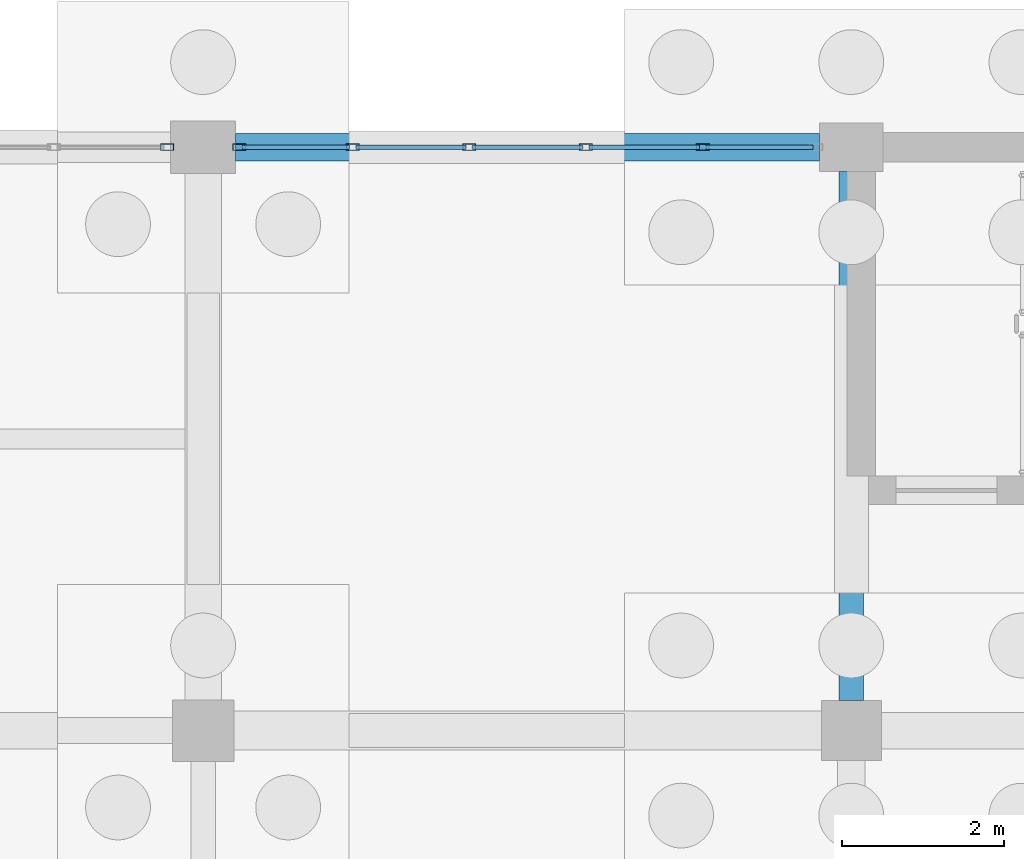
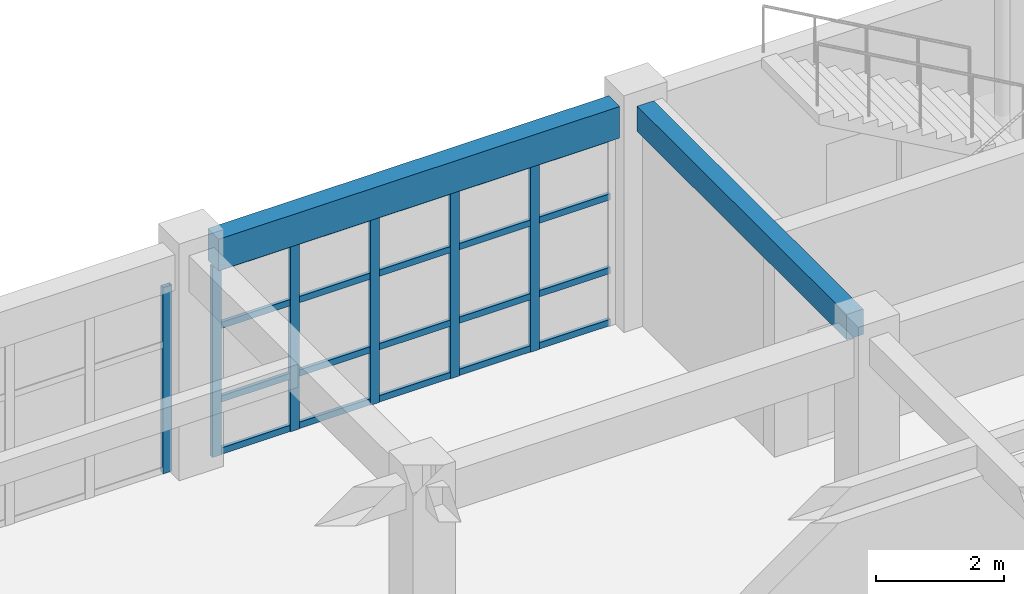
# One storey, part 72 of 166: 26 members, 2 beams, 2 elements without a shape of their own.
"""IFC4 building model written with IfcOpenShell, lengths in metres."""

from ifc_helpers import new_model, si_unit, direction, frame, origin, origin_2d, place, context, subcontext, project, spatial, rectangle, hollow_rectangle, extrude, material, material_profile, profile_set, type_object, element, aggregate, save


model = new_model("IFC4")

# Units and contexts
model_context = context("Model", 3, precision=1e-05, world=origin(), true_north=direction((0.0, 1.0)))
body_context = subcontext(model_context, "Body", "Model", "MODEL_VIEW")
ifc_project = project(units=[si_unit("LENGTHUNIT", "METRE"), si_unit("AREAUNIT", "SQUARE_METRE"), si_unit("VOLUMEUNIT", "CUBIC_METRE"), si_unit("PLANEANGLEUNIT", "RADIAN"), si_unit("MASSUNIT", "GRAM", prefix="KILO")], contexts=[model_context])

# Site, building, storey
site_placement = place(None, origin())
site = spatial("IfcSite", under=ifc_project, at=site_placement, CompositionType="ELEMENT")
building_placement = place(site_placement, origin())
building = spatial("IfcBuilding", under=site, at=building_placement, Name="Kharva Crest Polytechnic", CompositionType="ELEMENT")
storey_placement = place(building_placement, origin())
storey = spatial("IfcBuildingStorey", under=building, at=storey_placement, Name="L00", CompositionType="ELEMENT", Elevation=0.0)

# Beam
ifc_material_1 = material(Name="Concrete C35/45", Category="concrete")
ifc_material_profile_1 = material_profile(ifc_material_1, rectangle(XDim=0.300048828125, YDim=0.47998046875, at=origin_2d()), Name="RECT 300 X 480")
ifc_profile_set_1 = profile_set([ifc_material_profile_1], Name="Concrete C35/45")
beam_type_1 = type_object("IfcBeamType", Name="BM-RC-300X480", PredefinedType="BEAM", material=ifc_profile_set_1)
beam_1_placement = place(storey_placement, frame((104.0, 115.169921875, 3.97998046875), z_axis=(0.0, 1.0, 0.0), x_axis=(-1.0, 0.0, 0.0)))
element("IfcBeam", 1, at=beam_1_placement, inside=storey, type_object=beam_type_1, Name="L00 Girder 14/R-S", PredefinedType="BEAM", context=body_context, shape_type="SweptSolid", body=[
    extrude(rectangle(XDim=0.300048828125, YDim=0.47998046875, at=origin_2d()), origin(), (0.0, 0.0, 1.0), 6.530029296875),
])

# Curtain wall, members
ifc_material_2 = material(Name="Tempered insulated glass", Category="glass")
curtain_wall_type = type_object("IfcCurtainWallType", Name="CW-SYS-COURT", PredefinedType="USERDEFINED", material=ifc_material_2)
curtain_wall_1_placement = place(storey_placement, origin())
curtain_wall_1 = element("IfcCurtainWall", 2, at=curtain_wall_1_placement, inside=storey, type_object=curtain_wall_type, Name="L00 Glazed Curtain Wall CW-026", ObjectType="CURTAIN WALL", PredefinedType="USERDEFINED")
ifc_material_3 = material(Name="Steel S355", Category="steel")
ifc_material_profile_2 = material_profile(ifc_material_3, hollow_rectangle(XDim=0.080078125, YDim=0.159912109375, WallThickness=0.0048828125, at=origin_2d()), Name="RHS 160X80X5.0")
ifc_profile_set_2 = profile_set([ifc_material_profile_2], Name="Steel S355")
member_type_1 = type_object("IfcMemberType", Name="CWM-RHS160X80", PredefinedType="MULLION", material=ifc_profile_set_2)
member_1_placement = place(storey_placement, frame((102.1650390625, 122.0, 0.0), z_axis=(0.0, 0.0, 1.0), x_axis=(0.0, -1.0, 0.0)))
member_1 = element("IfcMember", 3, at=member_1_placement, type_object=member_type_1, Name="CW-026 mullion 2", PredefinedType="MULLION", context=body_context, shape_type="SweptSolid", body=[
    extrude(hollow_rectangle(XDim=0.080078125, YDim=0.159912109375, WallThickness=0.0048828125, at=origin_2d()), origin(), (0.0, 0.0, 1.0), 3.6201171875),
])
member_2_placement = place(storey_placement, frame((100.72509765625, 122.0, 0.0), z_axis=(0.0, 0.0, 1.0), x_axis=(0.0, -1.0, 0.0)))
member_2 = element("IfcMember", 4, at=member_2_placement, type_object=member_type_1, Name="CW-026 mullion 3", PredefinedType="MULLION", context=body_context, shape_type="SweptSolid", body=[
    extrude(hollow_rectangle(XDim=0.080078125, YDim=0.159912109375, WallThickness=0.0048828125, at=origin_2d()), origin(), (0.0, 0.0, 1.0), 3.6201171875),
])
member_3_placement = place(storey_placement, frame((99.284912109375, 122.0, 0.0), z_axis=(0.0, 0.0, 1.0), x_axis=(0.0, -1.0, 0.0)))
member_3 = element("IfcMember", 5, at=member_3_placement, type_object=member_type_1, Name="CW-026 mullion 4", PredefinedType="MULLION", context=body_context, shape_type="SweptSolid", body=[
    extrude(hollow_rectangle(XDim=0.080078125, YDim=0.159912109375, WallThickness=0.0048828125, at=origin_2d()), origin(), (0.0, 0.0, 1.0), 3.6201171875),
])
member_4_placement = place(storey_placement, frame((97.844970703125, 122.0, 0.0), z_axis=(0.0, 0.0, 1.0), x_axis=(0.0, -1.0, 0.0)))
member_4 = element("IfcMember", 6, at=member_4_placement, type_object=member_type_1, Name="CW-026 mullion 5", PredefinedType="MULLION", context=body_context, shape_type="SweptSolid", body=[
    extrude(hollow_rectangle(XDim=0.080078125, YDim=0.159912109375, WallThickness=0.0048828125, at=origin_2d()), origin(), (0.0, 0.0, 1.0), 3.6201171875),
])
member_5_placement = place(storey_placement, frame((96.445068359375, 122.0, 0.0), z_axis=(0.0, 0.0, 1.0), x_axis=(0.0, -1.0, 0.0)))
member_5 = element("IfcMember", 7, at=member_5_placement, type_object=member_type_1, Name="CW-026 mullion 6", PredefinedType="MULLION", context=body_context, shape_type="SweptSolid", body=[
    extrude(hollow_rectangle(XDim=0.080078125, YDim=0.159912109375, WallThickness=0.0048828125, at=origin_2d()), origin(), (0.0, 0.0, 1.0), 3.6201171875),
])

# Curtain wall, member
curtain_wall_2_placement = place(storey_placement, origin())
curtain_wall_2 = element("IfcCurtainWall", 8, at=curtain_wall_2_placement, inside=storey, type_object=curtain_wall_type, Name="L00 Glazed Curtain Wall CW-027", ObjectType="CURTAIN WALL", PredefinedType="USERDEFINED")
member_6_placement = place(storey_placement, frame((95.554931640625, 122.0, 0.0), z_axis=(0.0, 0.0, 1.0), x_axis=(0.0, -1.0, 0.0)))
member_6 = element("IfcMember", 9, at=member_6_placement, type_object=member_type_1, Name="CW-027 mullion 1", PredefinedType="MULLION", context=body_context, shape_type="SweptSolid", body=[
    extrude(hollow_rectangle(XDim=0.080078125, YDim=0.159912109375, WallThickness=0.0048828125, at=origin_2d()), origin(), (0.0, 0.0, 1.0), 3.5400390625),
])
aggregate(curtain_wall_2, [member_6])

# Member
ifc_material_profile_3 = material_profile(ifc_material_3, hollow_rectangle(XDim=0.06005859375, YDim=0.1201171875, WallThickness=0.00390625, at=origin_2d()), Name="RHS 120X60X4.0")
ifc_profile_set_3 = profile_set([ifc_material_profile_3], Name="Steel S355")
member_type_2 = type_object("IfcMemberType", Name="CWT-RHS120X60", PredefinedType="USERDEFINED", material=ifc_profile_set_3)
member_7_placement = place(storey_placement, frame((103.52490234375, 122.0, 0.06005859375), z_axis=(-1.0, 0.0, 0.0), x_axis=(0.0, -1.0, 0.0)))
member_7 = element("IfcMember", 10, at=member_7_placement, type_object=member_type_2, Name="CW-026 transom 1.1", ObjectType="TRANSOM", PredefinedType="USERDEFINED", context=body_context, shape_type="SweptSolid", body=[
    extrude(hollow_rectangle(XDim=0.06005859375, YDim=0.1201171875, WallThickness=0.00390625, at=origin_2d()), origin(), (0.0, 0.0, 1.0), 1.31982421875),
])

member_8_placement = place(storey_placement, frame((103.52490234375, 122.0, 1.050048828125), z_axis=(-1.0, 0.0, 0.0), x_axis=(0.0, -1.0, 0.0)))
member_8 = element("IfcMember", 11, at=member_8_placement, type_object=member_type_2, Name="CW-026 transom 1.2", ObjectType="TRANSOM", PredefinedType="USERDEFINED", context=body_context, shape_type="SweptSolid", body=[
    extrude(hollow_rectangle(XDim=0.06005859375, YDim=0.1201171875, WallThickness=0.00390625, at=origin_2d()), origin(), (0.0, 0.0, 1.0), 1.31982421875),
])

member_9_placement = place(storey_placement, frame((103.52490234375, 122.0, 2.449951171875), z_axis=(-1.0, 0.0, 0.0), x_axis=(0.0, -1.0, 0.0)))
member_9 = element("IfcMember", 12, at=member_9_placement, type_object=member_type_2, Name="CW-026 transom 1.3", ObjectType="TRANSOM", PredefinedType="USERDEFINED", context=body_context, shape_type="SweptSolid", body=[
    extrude(hollow_rectangle(XDim=0.06005859375, YDim=0.1201171875, WallThickness=0.00390625, at=origin_2d()), origin(), (0.0, 0.0, 1.0), 1.31982421875),
])

member_10_placement = place(storey_placement, frame((103.52490234375, 122.0, 3.56005859375), z_axis=(-1.0, 0.0, 0.0), x_axis=(0.0, -1.0, 0.0)))
member_10 = element("IfcMember", 13, at=member_10_placement, type_object=member_type_2, Name="CW-026 transom 1.4", ObjectType="TRANSOM", PredefinedType="USERDEFINED", context=body_context, shape_type="SweptSolid", body=[
    extrude(hollow_rectangle(XDim=0.06005859375, YDim=0.1201171875, WallThickness=0.00390625, at=origin_2d()), origin(), (0.0, 0.0, 1.0), 1.31982421875),
])

member_11_placement = place(storey_placement, frame((102.125, 122.0, 0.06005859375), z_axis=(-1.0, 0.0, 0.0), x_axis=(0.0, -1.0, 0.0)))
member_11 = element("IfcMember", 14, at=member_11_placement, type_object=member_type_2, Name="CW-026 transom 2.1", ObjectType="TRANSOM", PredefinedType="USERDEFINED", context=body_context, shape_type="SweptSolid", body=[
    extrude(hollow_rectangle(XDim=0.06005859375, YDim=0.1201171875, WallThickness=0.00390625, at=origin_2d()), origin(), (0.0, 0.0, 1.0), 1.360107421875),
])

member_12_placement = place(storey_placement, frame((102.125, 122.0, 1.050048828125), z_axis=(-1.0, 0.0, 0.0), x_axis=(0.0, -1.0, 0.0)))
member_12 = element("IfcMember", 15, at=member_12_placement, type_object=member_type_2, Name="CW-026 transom 2.2", ObjectType="TRANSOM", PredefinedType="USERDEFINED", context=body_context, shape_type="SweptSolid", body=[
    extrude(hollow_rectangle(XDim=0.06005859375, YDim=0.1201171875, WallThickness=0.00390625, at=origin_2d()), origin(), (0.0, 0.0, 1.0), 1.360107421875),
])

member_13_placement = place(storey_placement, frame((102.125, 122.0, 2.449951171875), z_axis=(-1.0, 0.0, 0.0), x_axis=(0.0, -1.0, 0.0)))
member_13 = element("IfcMember", 16, at=member_13_placement, type_object=member_type_2, Name="CW-026 transom 2.3", ObjectType="TRANSOM", PredefinedType="USERDEFINED", context=body_context, shape_type="SweptSolid", body=[
    extrude(hollow_rectangle(XDim=0.06005859375, YDim=0.1201171875, WallThickness=0.00390625, at=origin_2d()), origin(), (0.0, 0.0, 1.0), 1.360107421875),
])

member_14_placement = place(storey_placement, frame((102.125, 122.0, 3.56005859375), z_axis=(-1.0, 0.0, 0.0), x_axis=(0.0, -1.0, 0.0)))
member_14 = element("IfcMember", 17, at=member_14_placement, type_object=member_type_2, Name="CW-026 transom 2.4", ObjectType="TRANSOM", PredefinedType="USERDEFINED", context=body_context, shape_type="SweptSolid", body=[
    extrude(hollow_rectangle(XDim=0.06005859375, YDim=0.1201171875, WallThickness=0.00390625, at=origin_2d()), origin(), (0.0, 0.0, 1.0), 1.360107421875),
])

member_15_placement = place(storey_placement, frame((100.68505859375, 122.0, 0.06005859375), z_axis=(-1.0, 0.0, 0.0), x_axis=(0.0, -1.0, 0.0)))
member_15 = element("IfcMember", 18, at=member_15_placement, type_object=member_type_2, Name="CW-026 transom 3.1", ObjectType="TRANSOM", PredefinedType="USERDEFINED", context=body_context, shape_type="SweptSolid", body=[
    extrude(hollow_rectangle(XDim=0.06005859375, YDim=0.1201171875, WallThickness=0.00390625, at=origin_2d()), origin(), (0.0, 0.0, 1.0), 1.360107421875),
])

member_16_placement = place(storey_placement, frame((100.68505859375, 122.0, 1.050048828125), z_axis=(-1.0, 0.0, 0.0), x_axis=(0.0, -1.0, 0.0)))
member_16 = element("IfcMember", 19, at=member_16_placement, type_object=member_type_2, Name="CW-026 transom 3.2", ObjectType="TRANSOM", PredefinedType="USERDEFINED", context=body_context, shape_type="SweptSolid", body=[
    extrude(hollow_rectangle(XDim=0.06005859375, YDim=0.1201171875, WallThickness=0.00390625, at=origin_2d()), origin(), (0.0, 0.0, 1.0), 1.360107421875),
])

member_17_placement = place(storey_placement, frame((100.68505859375, 122.0, 2.449951171875), z_axis=(-1.0, 0.0, 0.0), x_axis=(0.0, -1.0, 0.0)))
member_17 = element("IfcMember", 20, at=member_17_placement, type_object=member_type_2, Name="CW-026 transom 3.3", ObjectType="TRANSOM", PredefinedType="USERDEFINED", context=body_context, shape_type="SweptSolid", body=[
    extrude(hollow_rectangle(XDim=0.06005859375, YDim=0.1201171875, WallThickness=0.00390625, at=origin_2d()), origin(), (0.0, 0.0, 1.0), 1.360107421875),
])

member_18_placement = place(storey_placement, frame((100.68505859375, 122.0, 3.56005859375), z_axis=(-1.0, 0.0, 0.0), x_axis=(0.0, -1.0, 0.0)))
member_18 = element("IfcMember", 21, at=member_18_placement, type_object=member_type_2, Name="CW-026 transom 3.4", ObjectType="TRANSOM", PredefinedType="USERDEFINED", context=body_context, shape_type="SweptSolid", body=[
    extrude(hollow_rectangle(XDim=0.06005859375, YDim=0.1201171875, WallThickness=0.00390625, at=origin_2d()), origin(), (0.0, 0.0, 1.0), 1.360107421875),
])

member_19_placement = place(storey_placement, frame((99.2451171875, 122.0, 0.06005859375), z_axis=(-1.0, 0.0, 0.0), x_axis=(0.0, -1.0, 0.0)))
member_19 = element("IfcMember", 22, at=member_19_placement, type_object=member_type_2, Name="CW-026 transom 4.1", ObjectType="TRANSOM", PredefinedType="USERDEFINED", context=body_context, shape_type="SweptSolid", body=[
    extrude(hollow_rectangle(XDim=0.06005859375, YDim=0.1201171875, WallThickness=0.00390625, at=origin_2d()), origin(), (0.0, 0.0, 1.0), 1.360107421875),
])

member_20_placement = place(storey_placement, frame((99.2451171875, 122.0, 1.050048828125), z_axis=(-1.0, 0.0, 0.0), x_axis=(0.0, -1.0, 0.0)))
member_20 = element("IfcMember", 23, at=member_20_placement, type_object=member_type_2, Name="CW-026 transom 4.2", ObjectType="TRANSOM", PredefinedType="USERDEFINED", context=body_context, shape_type="SweptSolid", body=[
    extrude(hollow_rectangle(XDim=0.06005859375, YDim=0.1201171875, WallThickness=0.00390625, at=origin_2d()), origin(), (0.0, 0.0, 1.0), 1.360107421875),
])

member_21_placement = place(storey_placement, frame((99.2451171875, 122.0, 2.449951171875), z_axis=(-1.0, 0.0, 0.0), x_axis=(0.0, -1.0, 0.0)))
member_21 = element("IfcMember", 24, at=member_21_placement, type_object=member_type_2, Name="CW-026 transom 4.3", ObjectType="TRANSOM", PredefinedType="USERDEFINED", context=body_context, shape_type="SweptSolid", body=[
    extrude(hollow_rectangle(XDim=0.06005859375, YDim=0.1201171875, WallThickness=0.00390625, at=origin_2d()), origin(), (0.0, 0.0, 1.0), 1.360107421875),
])

member_22_placement = place(storey_placement, frame((99.2451171875, 122.0, 3.56005859375), z_axis=(-1.0, 0.0, 0.0), x_axis=(0.0, -1.0, 0.0)))
member_22 = element("IfcMember", 25, at=member_22_placement, type_object=member_type_2, Name="CW-026 transom 4.4", ObjectType="TRANSOM", PredefinedType="USERDEFINED", context=body_context, shape_type="SweptSolid", body=[
    extrude(hollow_rectangle(XDim=0.06005859375, YDim=0.1201171875, WallThickness=0.00390625, at=origin_2d()), origin(), (0.0, 0.0, 1.0), 1.360107421875),
])

member_23_placement = place(storey_placement, frame((97.804931640625, 122.0, 0.06005859375), z_axis=(-1.0, 0.0, 0.0), x_axis=(0.0, -1.0, 0.0)))
member_23 = element("IfcMember", 26, at=member_23_placement, type_object=member_type_2, Name="CW-026 transom 5.1", ObjectType="TRANSOM", PredefinedType="USERDEFINED", context=body_context, shape_type="SweptSolid", body=[
    extrude(hollow_rectangle(XDim=0.06005859375, YDim=0.1201171875, WallThickness=0.00390625, at=origin_2d()), origin(), (0.0, 0.0, 1.0), 1.31982421875),
])

member_24_placement = place(storey_placement, frame((97.804931640625, 122.0, 1.050048828125), z_axis=(-1.0, 0.0, 0.0), x_axis=(0.0, -1.0, 0.0)))
member_24 = element("IfcMember", 27, at=member_24_placement, type_object=member_type_2, Name="CW-026 transom 5.2", ObjectType="TRANSOM", PredefinedType="USERDEFINED", context=body_context, shape_type="SweptSolid", body=[
    extrude(hollow_rectangle(XDim=0.06005859375, YDim=0.1201171875, WallThickness=0.00390625, at=origin_2d()), origin(), (0.0, 0.0, 1.0), 1.31982421875),
])

member_25_placement = place(storey_placement, frame((97.804931640625, 122.0, 2.449951171875), z_axis=(-1.0, 0.0, 0.0), x_axis=(0.0, -1.0, 0.0)))
member_25 = element("IfcMember", 28, at=member_25_placement, type_object=member_type_2, Name="CW-026 transom 5.3", ObjectType="TRANSOM", PredefinedType="USERDEFINED", context=body_context, shape_type="SweptSolid", body=[
    extrude(hollow_rectangle(XDim=0.06005859375, YDim=0.1201171875, WallThickness=0.00390625, at=origin_2d()), origin(), (0.0, 0.0, 1.0), 1.31982421875),
])

member_26_placement = place(storey_placement, frame((97.804931640625, 122.0, 3.56005859375), z_axis=(-1.0, 0.0, 0.0), x_axis=(0.0, -1.0, 0.0)))
member_26 = element("IfcMember", 29, at=member_26_placement, type_object=member_type_2, Name="CW-026 transom 5.4", ObjectType="TRANSOM", PredefinedType="USERDEFINED", context=body_context, shape_type="SweptSolid", body=[
    extrude(hollow_rectangle(XDim=0.06005859375, YDim=0.1201171875, WallThickness=0.00390625, at=origin_2d()), origin(), (0.0, 0.0, 1.0), 1.31982421875),
])

aggregate(curtain_wall_1, [member_1, member_2, member_3, member_4, member_5, member_7, member_8, member_9, member_10, member_11, member_12, member_13, member_14, member_15, member_16, member_17, member_18, member_19, member_20, member_21, member_22, member_23, member_24, member_25, member_26])

# Beam
ifc_material_profile_4 = material_profile(ifc_material_1, rectangle(XDim=0.340087890625, YDim=0.60009765625, at=origin_2d()), Name="RECT 340 X 600")
ifc_profile_set_4 = profile_set([ifc_material_profile_4], Name="Concrete C35/45")
beam_type_2 = type_object("IfcBeamType", Name="SP-RC-340X600", PredefinedType="SPANDREL", material=ifc_profile_set_4)
beam_2_placement = place(storey_placement, frame((96.39990234375, 122.0, 3.919921875), z_axis=(1.0, 0.0, 0.0), x_axis=(0.0, 1.0, 0.0)))
element("IfcBeam", 30, at=beam_2_placement, inside=storey, type_object=beam_type_2, Name="L00 Beam S/13-14", PredefinedType="SPANDREL", context=body_context, shape_type="SweptSolid", body=[
    extrude(rectangle(XDim=0.340087890625, YDim=0.60009765625, at=origin_2d()), origin(), (0.0, 0.0, 1.0), 7.210205078125),
])

save(model, "model.ifc")
